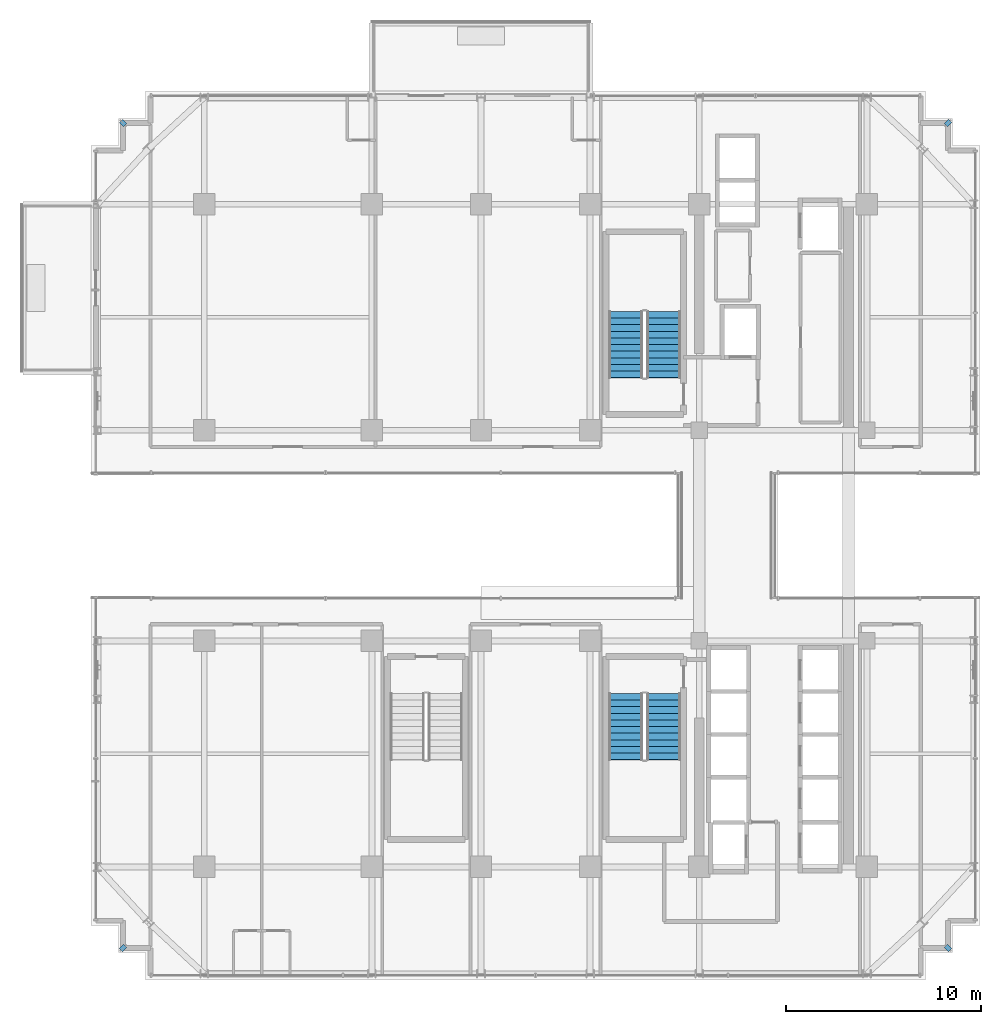
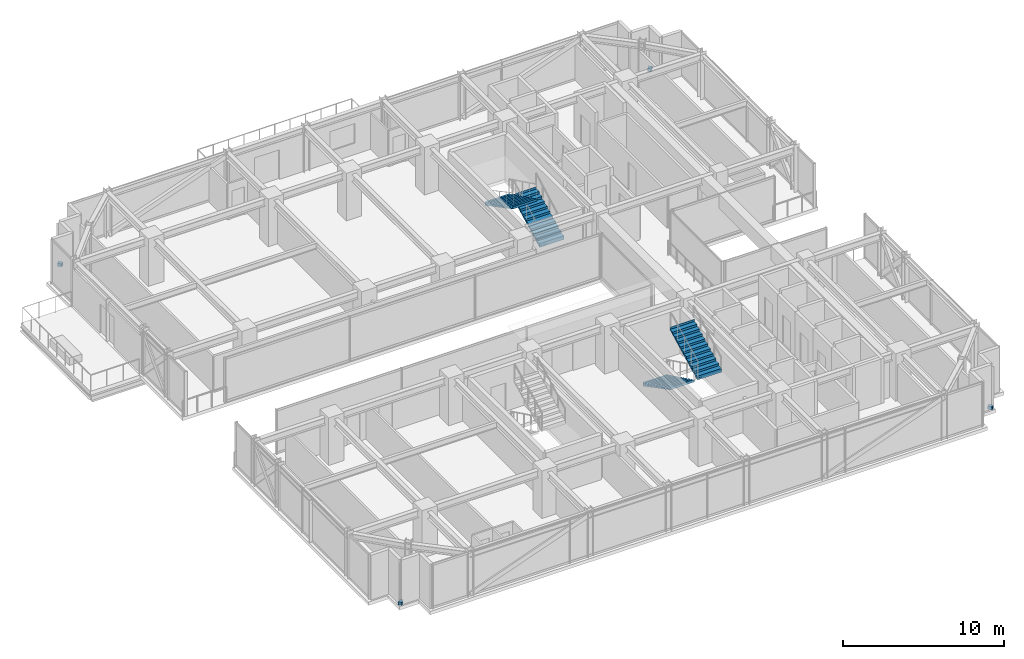
# One storey, part 39 of 43: 4 discrete accessories, 4 stair flights, 2 elements without a shape of their own.
"""IFC4 building model written with IfcOpenShell, lengths in metres."""

import ifcopenshell
import ifcopenshell.guid

model = None  # the IFC model being written
_history = None  # IfcOwnerHistory: only IFC2X3 demands one
_inside = {}  # id of a spatial element -> (the spatial element, [elements in it])
_under = {}  # id of a project, library or spatial element -> (it, [spatial elements below it])
_declared = {}  # id of a project -> (the project, [libraries it declares])
_typed = {}  # id of a type object -> (the type object, [elements of that type])
_made_of = {}  # id of a material, layer set ... -> (it, [elements and type objects made of it])


def new_model(schema):
    """Start an empty IFC model of exactly this schema.

    Asked for "IFC4X3", IfcOpenShell would pick the latest addendum, in which some entities
    have other attributes; the version numbers below select the first issue.
    IFC2X3 requires an IfcOwnerHistory on every rooted entity: one is made here for all.
    """
    global model, _history
    if schema == "IFC4X3":
        model = ifcopenshell.file(schema_version=(4, 3, 0, 0))
    else:
        model = ifcopenshell.file(schema=schema)
    _inside.clear()
    _under.clear()
    _declared.clear()
    _typed.clear()
    _made_of.clear()
    _history = None
    if model.schema == "IFC2X3":
        org = make("IfcOrganization", Name="unknown")
        user = make(
            "IfcPersonAndOrganization",
            ThePerson=make("IfcPerson", FamilyName="unknown"),
            TheOrganization=org,
        )
        app = make(
            "IfcApplication",
            ApplicationDeveloper=org,
            Version="unknown",
            ApplicationFullName="unknown",
            ApplicationIdentifier="unknown",
        )
        _history = make(
            "IfcOwnerHistory",
            OwningUser=user,
            OwningApplication=app,
            ChangeAction="ADDED",
            CreationDate=0,
        )
    return model


def make(cls, **values):
    """One entity of the class cls with the attributes given. An attribute that is None is left unset."""
    return model.create_entity(
        cls, **{name: value for name, value in values.items() if value is not None}
    )


def rooted(cls, **values):
    """An entity with a GlobalId (a new one), such as an element, a storey or a relation."""
    return make(cls, GlobalId=ifcopenshell.guid.new(), OwnerHistory=_history, **values)


def si_unit(unit_type, name, prefix=None):
    """IfcSIUnit, for example si_unit("LENGTHUNIT", "METRE", prefix="MILLI")."""
    return make("IfcSIUnit", UnitType=unit_type, Prefix=prefix, Name=name)


def assignment(units):
    """IfcUnitAssignment: the units of a project."""
    return None if units is None else make("IfcUnitAssignment", Units=units)


def point(xyz):
    """IfcCartesianPoint."""
    return None if xyz is None else make("IfcCartesianPoint", Coordinates=xyz)


def direction(xyz):
    """IfcDirection."""
    return None if xyz is None else make("IfcDirection", DirectionRatios=xyz)


def frame(location, z_axis=None, x_axis=None):
    """IfcAxis2Placement3D, a coordinate frame: its origin and axes. An axis left out is left unset."""
    return make(
        "IfcAxis2Placement3D",
        Location=point(location),
        Axis=direction(z_axis),
        RefDirection=direction(x_axis),
    )


def frame_2d(location, x_axis=None):
    """IfcAxis2Placement2D, a coordinate frame in the plane: its origin and x axis."""
    return make(
        "IfcAxis2Placement2D", Location=point(location), RefDirection=direction(x_axis)
    )


def origin():
    """The frame at (0, 0, 0) with its axes left unset."""
    return frame((0.0, 0.0, 0.0))


def origin_2d():
    """The frame at (0, 0) in the plane with its x axis left unset."""
    return frame_2d((0.0, 0.0))


def place(relative_to, where):
    """IfcLocalPlacement: puts the frame where relative to a parent placement (None: the world)."""
    return make(
        "IfcLocalPlacement", PlacementRelTo=relative_to, RelativePlacement=where
    )


def context(
    kind, dimensions, precision=None, world=None, true_north=None, identifier=None
):
    """IfcGeometricRepresentationContext, for example the 3D "Model" context."""
    return make(
        "IfcGeometricRepresentationContext",
        ContextIdentifier=identifier,
        ContextType=kind,
        CoordinateSpaceDimension=dimensions,
        Precision=precision,
        WorldCoordinateSystem=world,
        TrueNorth=true_north,
    )


def subcontext(parent, identifier, kind, view, scale=None):
    """IfcGeometricRepresentationSubContext, for example "Body" below "Model"."""
    return make(
        "IfcGeometricRepresentationSubContext",
        ContextIdentifier=identifier,
        ContextType=kind,
        ParentContext=parent,
        TargetScale=scale,
        TargetView=view,
    )


def project(units=None, contexts=None):
    """IfcProject with its units and contexts."""
    return rooted(
        "IfcProject",
        Name="project",
        RepresentationContexts=contexts,
        UnitsInContext=assignment(units),
    )


def spatial(cls, under=None, at=None, **own):
    """A site, building, storey or space (cls), placed at a placement, below another one or the project."""
    s = rooted(cls, ObjectPlacement=at, **own)
    if under is not None:
        _under.setdefault(under.id(), (under, []))[1].append(s)
    return s


def polyline(points):
    """IfcPolyline through the points."""
    return make("IfcPolyline", Points=[point(p) for p in points])


def profile(cls, at=None, kind="AREA", **sizes):
    """A parametric profile (cls). Its sizes go by their IFC names, for example OverallWidth=200.0."""
    return make(cls, ProfileType=kind, Position=at, **sizes)


def rectangle(**sizes):
    """IfcRectangleProfileDef."""
    return profile("IfcRectangleProfileDef", **sizes)


def outline(outer, holes=None, kind="AREA"):
    """IfcArbitraryClosedProfileDef: a profile drawn as a closed curve; with holes, ...WithVoids."""
    if holes is None:
        return make("IfcArbitraryClosedProfileDef", ProfileType=kind, OuterCurve=outer)
    return make(
        "IfcArbitraryProfileDefWithVoids",
        ProfileType=kind,
        OuterCurve=outer,
        InnerCurves=holes,
    )


def extrude(swept, where, along, depth):
    """IfcExtrudedAreaSolid: the profile swept, set in the frame where, extruded along a direction by depth."""
    return make(
        "IfcExtrudedAreaSolid",
        SweptArea=swept,
        Position=where,
        ExtrudedDirection=direction(along),
        Depth=depth,
    )


def shape(context_of_items, identifier, shape_type, items):
    """IfcShapeRepresentation: the items that make up one representation, for example the "Body"."""
    return make(
        "IfcShapeRepresentation",
        ContextOfItems=context_of_items,
        RepresentationIdentifier=identifier,
        RepresentationType=shape_type,
        Items=items,
    )


def source(mapping_origin, context_of_items, identifier, shape_type, items):
    """IfcRepresentationMap: a shape defined once, which mapped items show again and again."""
    return make(
        "IfcRepresentationMap",
        MappingOrigin=mapping_origin,
        MappedRepresentation=shape(context_of_items, identifier, shape_type, items),
    )


def transform(
    local_origin,
    x_axis=None,
    y_axis=None,
    z_axis=None,
    scale=None,
    scale2=None,
    scale3=None,
    uniform=True,
):
    """IfcCartesianTransformationOperator3D, or its non-uniform kind. x_axis, y_axis, z_axis: its Axis1, 2, 3."""
    if uniform:
        return make(
            "IfcCartesianTransformationOperator3D",
            Axis1=direction(x_axis),
            Axis2=direction(y_axis),
            LocalOrigin=point(local_origin),
            Scale=scale,
            Axis3=direction(z_axis),
        )
    return make(
        "IfcCartesianTransformationOperator3DnonUniform",
        Axis1=direction(x_axis),
        Axis2=direction(y_axis),
        LocalOrigin=point(local_origin),
        Scale=scale,
        Axis3=direction(z_axis),
        Scale2=scale2,
        Scale3=scale3,
    )


def mapped(mapping_source, mapping_target):
    """IfcMappedItem: shows the shape of a source again, moved by a transform."""
    return make(
        "IfcMappedItem", MappingSource=mapping_source, MappingTarget=mapping_target
    )


def material(Name=None, Category=None):
    """IfcMaterial."""
    return make("IfcMaterial", Name=Name, Category=Category)


def layer(
    of_material, thickness, ventilated=None, Name=None, Category=None, Priority=None
):
    """IfcMaterialLayer: one layer of a wall or slab, of a material (None: an air gap)."""
    return make(
        "IfcMaterialLayer",
        Material=of_material,
        LayerThickness=thickness,
        IsVentilated=ventilated,
        Name=Name,
        Category=Category,
        Priority=Priority,
    )


def layer_set(layers, Name=None):
    """IfcMaterialLayerSet."""
    return make("IfcMaterialLayerSet", MaterialLayers=layers, LayerSetName=Name)


def made_of(thing, what):
    """Note that an element or type object is made of a material, layer set ...; save() writes the relation."""
    if what is not None:
        _made_of.setdefault(what.id(), (what, []))[1].append(thing)
    return thing


def type_object(cls, material=None, **own):
    """A type object (cls), such as IfcWallType, which elements share."""
    return made_of(rooted(cls, **own), material)


def element(
    cls,
    number,
    at=None,
    inside=None,
    cuts=None,
    type_object=None,
    material=None,
    context=None,
    identifier="Body",
    shape_type=None,
    held_by="IfcProductDefinitionShape",
    body=None,
    shapes=None,
    **own,
):
    """One element of the class cls, such as IfcWall. Its Tag is "e" and its number.

    at: its placement. inside: the storey or other place that contains it. cuts: it is an
    opening in that element (IfcRelVoidsElement). A single representation is given by context,
    identifier, shape_type and body (its items); several are given by shapes. held_by: the class
    of the entity that holds the representations. save() writes the other relations.
    """
    e = rooted(cls, Tag="e%d" % number, ObjectPlacement=at, **own)
    if body is not None:
        shapes = [shape(context, identifier, shape_type, body)]
    if shapes is not None:
        e.Representation = make(held_by, Representations=shapes)
    if inside is not None:
        _inside.setdefault(inside.id(), (inside, []))[1].append(e)
    if cuts is not None:
        rooted(
            "IfcRelVoidsElement", RelatingBuildingElement=cuts, RelatedOpeningElement=e
        )
    if type_object is not None:
        _typed.setdefault(type_object.id(), (type_object, []))[1].append(e)
    return made_of(e, material)


def aggregate(whole, parts):
    """IfcRelAggregates: a whole, such as a stair, and the parts it consists of."""
    return rooted("IfcRelAggregates", RelatingObject=whole, RelatedObjects=parts)


def save(model, path):
    """Write the relations noted so far, then the file.

    IfcRelAggregates (storeys below a building ...), IfcRelContainedInSpatialStructure (elements
    in a storey), IfcRelDefinesByType, IfcRelAssociatesMaterial and IfcRelDeclares: one each for
    every whole, place, type object, material and project.
    """
    for whole, parts in _under.values():
        aggregate(whole, parts)
    for where, things in _inside.values():
        rooted(
            "IfcRelContainedInSpatialStructure",
            RelatedElements=things,
            RelatingStructure=where,
        )
    for kind, things in _typed.values():
        rooted("IfcRelDefinesByType", RelatedObjects=things, RelatingType=kind)
    for what, things in _made_of.values():
        rooted("IfcRelAssociatesMaterial", RelatedObjects=things, RelatingMaterial=what)
    for by, libraries in _declared.values():
        rooted("IfcRelDeclares", RelatingContext=by, RelatedDefinitions=libraries)
    model.write(path)


model = new_model("IFC4")

# Units and contexts
model_context = context("Model", 3, precision=1e-05, world=origin(), true_north=direction((0.0, 1.0)))
body_context = subcontext(model_context, "Body", "Model", "MODEL_VIEW")
ifc_project = project(units=[si_unit("LENGTHUNIT", "METRE"), si_unit("AREAUNIT", "SQUARE_METRE"), si_unit("VOLUMEUNIT", "CUBIC_METRE"), si_unit("PLANEANGLEUNIT", "RADIAN"), si_unit("MASSUNIT", "GRAM", prefix="KILO")], contexts=[model_context])

# Site, building, storey
site_placement = place(None, origin())
site = spatial("IfcSite", under=ifc_project, at=site_placement, CompositionType="ELEMENT")
building_placement = place(site_placement, origin())
building = spatial("IfcBuilding", under=site, at=building_placement, Name="Nahalor Promenade Grand Hotel", CompositionType="ELEMENT")
storey_placement = place(building_placement, frame((0.0, 0.0, 181.85009765625)))
storey = spatial("IfcBuildingStorey", under=building, at=storey_placement, Name="L46", CompositionType="ELEMENT", Elevation=181.85009765625)

# Stair, stair flights
ifc_material_1 = material(Name="Concrete B-50 (C40/50)", Category="concrete")
stair_type_1 = type_object("IfcStairType", Name="Stair-ST1", PredefinedType="HALF_TURN_STAIR", material=ifc_material_1)
stair_1_placement = place(storey_placement, origin())
stair_1 = element("IfcStair", 1, at=stair_1_placement, inside=storey, type_object=stair_type_1, Name="L46 ST1", PredefinedType="HALF_TURN_STAIR")
ifc_layer_1 = layer(ifc_material_1, 0.179931640625)
ifc_layer_set_1 = layer_set([ifc_layer_1], Name="Concrete B-50 (C40/50)")
stair_flight_type_1 = type_object("IfcStairFlightType", Name="Flight-ST1", PredefinedType="STRAIGHT", material=ifc_layer_set_1)
shared_shape_1 = source(origin(), body_context, "Body", "SweptSolid", [
    extrude(outline(polyline([(-0.00390625, -0.1201171875), (-0.00390625, 0.0), (0.0, 0.0), (0.0, 0.166015625), (0.340087890625, 0.166015625), (0.340087890625, 0.331787109375), (0.679931640625, 0.331787109375), (0.679931640625, 0.497802734375), (1.02001953125, 0.497802734375), (1.02001953125, 0.66357421875), (1.360107421875, 0.66357421875), (1.360107421875, 0.82958984375), (1.699951171875, 0.82958984375), (1.699951171875, 0.995361328125), (2.0400390625, 0.995361328125), (2.0400390625, 1.161376953125), (2.3798828125, 1.161376953125), (2.3798828125, 1.327392578125), (2.719970703125, 1.327392578125), (2.719970703125, 1.4931640625), (3.06005859375, 1.4931640625), (3.06005859375, 1.6591796875), (3.39990234375, 1.6591796875), (3.39990234375, 1.824951171875), (3.404052734375, 1.824951171875), (3.404052734375, 1.64501953125), (0.02001953125, -0.1201171875), (-0.00390625, -0.1201171875)])), frame((0.0, 0.875, 0.0), z_axis=(0.0, -1.0, 0.0), x_axis=(1.0, 0.0, 0.0)), (0.0, 0.0, 1.0), 1.75),
])
stair_flight_1_placement = place(storey_placement, frame((6.574951171875, 8.10009765625, 0.0), z_axis=(0.0, 0.0, 1.0), x_axis=(0.0, 1.0, 0.0)))
stair_flight_1 = element("IfcStairFlight", 2, at=stair_flight_1_placement, type_object=stair_flight_type_1, Name="ST1 flight 1", NumberOfRisers=11, NumberOfTreads=10, PredefinedType="STRAIGHT", RiserHeight=0.165909091, TreadLength=0.34, context=body_context, shape_type="MappedRepresentation", body=[
    mapped(shared_shape_1, transform((0.0, 0.0, 0.0), scale=1.0)),
])
stair_flight_2_placement = place(storey_placement, frame((4.625, 11.5, 1.824951171875), z_axis=(0.0, 0.0, 1.0), x_axis=(0.0, -1.0, 0.0)))
stair_flight_2 = element("IfcStairFlight", 3, at=stair_flight_2_placement, type_object=stair_flight_type_1, Name="ST1 flight 2", NumberOfRisers=11, NumberOfTreads=10, PredefinedType="STRAIGHT", RiserHeight=0.165909091, TreadLength=0.34, context=body_context, shape_type="MappedRepresentation", body=[
    mapped(shared_shape_1, transform((0.0, 0.0, 0.0), scale=1.0)),
])
aggregate(stair_1, [stair_flight_1, stair_flight_2])

stair_type_2 = type_object("IfcStairType", Name="Stair-ST2", PredefinedType="HALF_TURN_STAIR", material=ifc_material_1)
stair_2_placement = place(storey_placement, origin())
stair_2 = element("IfcStair", 4, at=stair_2_placement, inside=storey, type_object=stair_type_2, Name="L46 ST2", PredefinedType="HALF_TURN_STAIR")
ifc_layer_2 = layer(ifc_material_1, 0.18994140625)
ifc_layer_set_2 = layer_set([ifc_layer_2], Name="Concrete B-50 (C40/50)")
stair_flight_type_2 = type_object("IfcStairFlightType", Name="Flight-ST2", PredefinedType="STRAIGHT", material=ifc_layer_set_2)
shared_shape_2 = source(origin(), body_context, "Body", "SweptSolid", [
    extrude(outline(polyline([(-0.00390625, -0.1201171875), (-0.00390625, 0.0), (0.0, 0.0), (0.0, 0.166015625), (0.340087890625, 0.166015625), (0.340087890625, 0.331787109375), (0.679931640625, 0.331787109375), (0.679931640625, 0.497802734375), (1.02001953125, 0.497802734375), (1.02001953125, 0.66357421875), (1.360107421875, 0.66357421875), (1.360107421875, 0.82958984375), (1.699951171875, 0.82958984375), (1.699951171875, 0.995361328125), (2.0400390625, 0.995361328125), (2.0400390625, 1.161376953125), (2.3798828125, 1.161376953125), (2.3798828125, 1.327392578125), (2.719970703125, 1.327392578125), (2.719970703125, 1.4931640625), (3.06005859375, 1.4931640625), (3.06005859375, 1.6591796875), (3.39990234375, 1.6591796875), (3.39990234375, 1.824951171875), (3.404052734375, 1.824951171875), (3.404052734375, 1.64501953125), (0.02001953125, -0.1201171875), (-0.00390625, -0.1201171875)])), frame((0.0, 0.875, 0.0), z_axis=(0.0, -1.0, 0.0), x_axis=(1.0, 0.0, 0.0)), (0.0, 0.0, 1.0), 1.75),
])
stair_flight_3_placement = place(storey_placement, frame((4.625, -8.10009765625, 0.0), z_axis=(0.0, 0.0, 1.0), x_axis=(0.0, -1.0, 0.0)))
stair_flight_3 = element("IfcStairFlight", 5, at=stair_flight_3_placement, type_object=stair_flight_type_2, Name="ST2 flight 1", NumberOfRisers=11, NumberOfTreads=10, PredefinedType="STRAIGHT", RiserHeight=0.165909091, TreadLength=0.34, context=body_context, shape_type="MappedRepresentation", body=[
    mapped(shared_shape_2, transform((0.0, 0.0, 0.0), scale=1.0)),
])
stair_flight_4_placement = place(storey_placement, frame((6.574951171875, -11.5, 1.824951171875), z_axis=(0.0, 0.0, 1.0), x_axis=(0.0, 1.0, 0.0)))
stair_flight_4 = element("IfcStairFlight", 6, at=stair_flight_4_placement, type_object=stair_flight_type_2, Name="ST2 flight 2", NumberOfRisers=11, NumberOfTreads=10, PredefinedType="STRAIGHT", RiserHeight=0.165909091, TreadLength=0.34, context=body_context, shape_type="MappedRepresentation", body=[
    mapped(shared_shape_2, transform((0.0, 0.0, 0.0), scale=1.0)),
])
aggregate(stair_2, [stair_flight_3, stair_flight_4])

# Discrete accessories
ifc_material_2 = material(Name="Steel S355JR", Category="steel")
discrete_accessory_type = type_object("IfcDiscreteAccessoryType", Name="Bracket-FacadeCleat-Bronze", PredefinedType="BRACKET", material=ifc_material_2)
shared_shape_3 = source(origin(), body_context, "Body", "SweptSolid", [
    extrude(rectangle(XDim=0.300048828125, YDim=0.239990234375, at=origin_2d()), origin(), (0.0, 0.0, 1.0), 0.219970703125),
])
for number, where, z_axis, x_axis, name in (
    (7, (-21.159912109375, -21.159912109375, 0.0), (0.0, 0.0, 1.0), (0.707106781187, 0.707106781187, 0.0), "BK-L46-SW"),
    (8, (21.159912109375, -21.159912109375, 0.0), (0.0, 0.0, 1.0), (-0.707106781187, 0.707106781187, 0.0), "BK-L46-SE"),
    (9, (21.159912109375, 21.159912109375, 0.0), (0.0, 0.0, 1.0), (0.707106781187, 0.707106781187, 0.0), "BK-L46-NE"),
    (10, (-21.159912109375, 21.159912109375, 0.0), (0.0, 0.0, 1.0), (-0.707106781187, 0.707106781187, 0.0), "BK-L46-NW"),
):
    element("IfcDiscreteAccessory", number, at=place(storey_placement, frame(where, z_axis=z_axis, x_axis=x_axis)), inside=storey, type_object=discrete_accessory_type, Name=name, PredefinedType="BRACKET", context=body_context, shape_type="MappedRepresentation", body=[
        mapped(shared_shape_3, transform((0.0, 0.0, 0.0), scale=1.0)),
    ])

save(model, "model.ifc")
